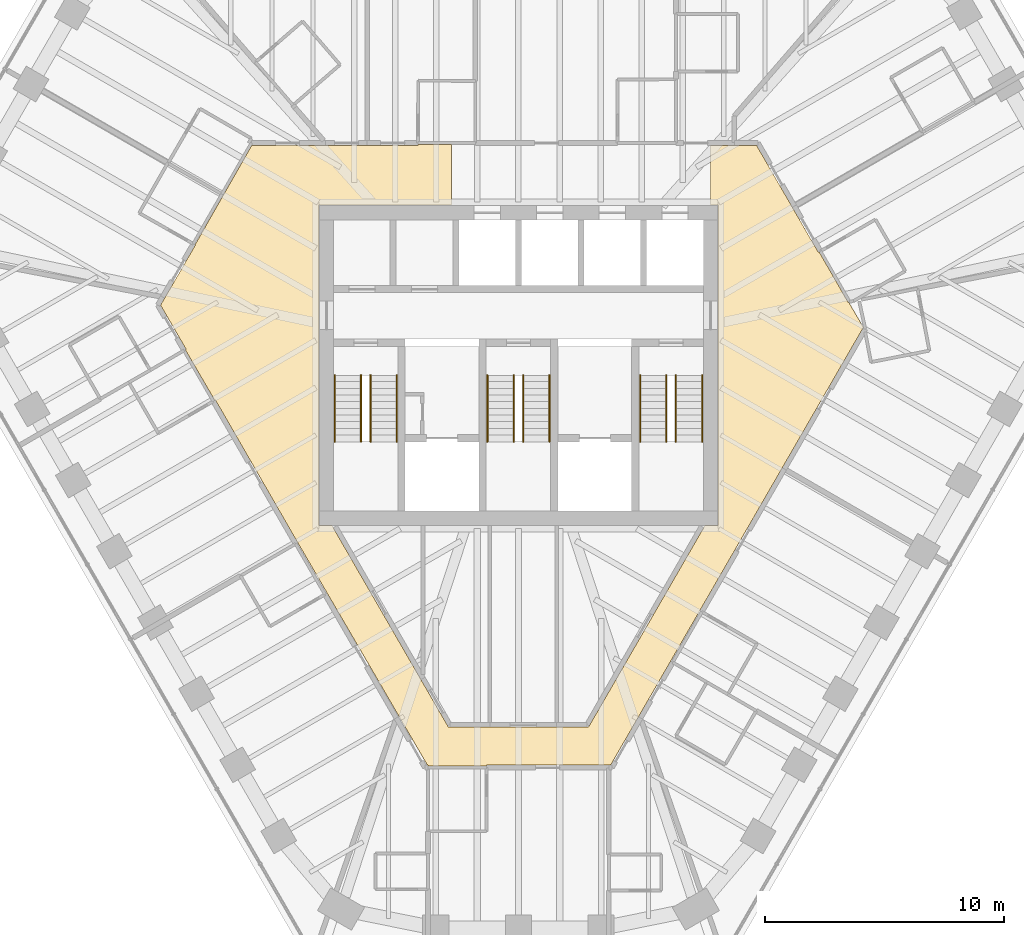
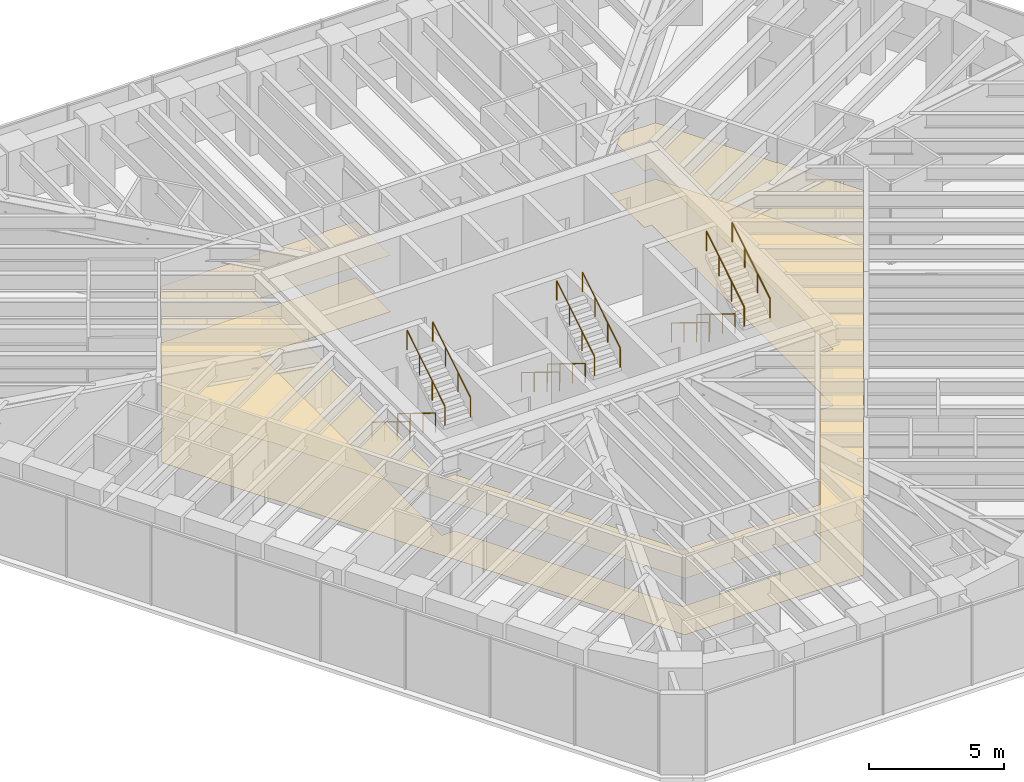
# One storey, part 14 of 14: 12 railings, 2 coverings.
"""IFC4 building model written with IfcOpenShell, lengths in metres."""

import ifcopenshell
import ifcopenshell.guid

model = None  # the IFC model being written
_history = None  # IfcOwnerHistory: only IFC2X3 demands one
_inside = {}  # id of a spatial element -> (the spatial element, [elements in it])
_under = {}  # id of a project, library or spatial element -> (it, [spatial elements below it])
_declared = {}  # id of a project -> (the project, [libraries it declares])
_typed = {}  # id of a type object -> (the type object, [elements of that type])
_made_of = {}  # id of a material, layer set ... -> (it, [elements and type objects made of it])


def new_model(schema):
    """Start an empty IFC model of exactly this schema.

    Asked for "IFC4X3", IfcOpenShell would pick the latest addendum, in which some entities
    have other attributes; the version numbers below select the first issue.
    IFC2X3 requires an IfcOwnerHistory on every rooted entity: one is made here for all.
    """
    global model, _history
    if schema == "IFC4X3":
        model = ifcopenshell.file(schema_version=(4, 3, 0, 0))
    else:
        model = ifcopenshell.file(schema=schema)
    _inside.clear()
    _under.clear()
    _declared.clear()
    _typed.clear()
    _made_of.clear()
    _history = None
    if model.schema == "IFC2X3":
        org = make("IfcOrganization", Name="unknown")
        user = make(
            "IfcPersonAndOrganization",
            ThePerson=make("IfcPerson", FamilyName="unknown"),
            TheOrganization=org,
        )
        app = make(
            "IfcApplication",
            ApplicationDeveloper=org,
            Version="unknown",
            ApplicationFullName="unknown",
            ApplicationIdentifier="unknown",
        )
        _history = make(
            "IfcOwnerHistory",
            OwningUser=user,
            OwningApplication=app,
            ChangeAction="ADDED",
            CreationDate=0,
        )
    return model


def make(cls, **values):
    """One entity of the class cls with the attributes given. An attribute that is None is left unset."""
    return model.create_entity(
        cls, **{name: value for name, value in values.items() if value is not None}
    )


def rooted(cls, **values):
    """An entity with a GlobalId (a new one), such as an element, a storey or a relation."""
    return make(cls, GlobalId=ifcopenshell.guid.new(), OwnerHistory=_history, **values)


def si_unit(unit_type, name, prefix=None):
    """IfcSIUnit, for example si_unit("LENGTHUNIT", "METRE", prefix="MILLI")."""
    return make("IfcSIUnit", UnitType=unit_type, Prefix=prefix, Name=name)


def assignment(units):
    """IfcUnitAssignment: the units of a project."""
    return None if units is None else make("IfcUnitAssignment", Units=units)


def point(xyz):
    """IfcCartesianPoint."""
    return None if xyz is None else make("IfcCartesianPoint", Coordinates=xyz)


def direction(xyz):
    """IfcDirection."""
    return None if xyz is None else make("IfcDirection", DirectionRatios=xyz)


def frame(location, z_axis=None, x_axis=None):
    """IfcAxis2Placement3D, a coordinate frame: its origin and axes. An axis left out is left unset."""
    return make(
        "IfcAxis2Placement3D",
        Location=point(location),
        Axis=direction(z_axis),
        RefDirection=direction(x_axis),
    )


def frame_2d(location, x_axis=None):
    """IfcAxis2Placement2D, a coordinate frame in the plane: its origin and x axis."""
    return make(
        "IfcAxis2Placement2D", Location=point(location), RefDirection=direction(x_axis)
    )


def origin():
    """The frame at (0, 0, 0) with its axes left unset."""
    return frame((0.0, 0.0, 0.0))


def origin_2d():
    """The frame at (0, 0) in the plane with its x axis left unset."""
    return frame_2d((0.0, 0.0))


def place(relative_to, where):
    """IfcLocalPlacement: puts the frame where relative to a parent placement (None: the world)."""
    return make(
        "IfcLocalPlacement", PlacementRelTo=relative_to, RelativePlacement=where
    )


def context(
    kind, dimensions, precision=None, world=None, true_north=None, identifier=None
):
    """IfcGeometricRepresentationContext, for example the 3D "Model" context."""
    return make(
        "IfcGeometricRepresentationContext",
        ContextIdentifier=identifier,
        ContextType=kind,
        CoordinateSpaceDimension=dimensions,
        Precision=precision,
        WorldCoordinateSystem=world,
        TrueNorth=true_north,
    )


def subcontext(parent, identifier, kind, view, scale=None):
    """IfcGeometricRepresentationSubContext, for example "Body" below "Model"."""
    return make(
        "IfcGeometricRepresentationSubContext",
        ContextIdentifier=identifier,
        ContextType=kind,
        ParentContext=parent,
        TargetScale=scale,
        TargetView=view,
    )


def project(units=None, contexts=None):
    """IfcProject with its units and contexts."""
    return rooted(
        "IfcProject",
        Name="project",
        RepresentationContexts=contexts,
        UnitsInContext=assignment(units),
    )


def spatial(cls, under=None, at=None, **own):
    """A site, building, storey or space (cls), placed at a placement, below another one or the project."""
    s = rooted(cls, ObjectPlacement=at, **own)
    if under is not None:
        _under.setdefault(under.id(), (under, []))[1].append(s)
    return s


def polyline(points):
    """IfcPolyline through the points."""
    return make("IfcPolyline", Points=[point(p) for p in points])


def profile(cls, at=None, kind="AREA", **sizes):
    """A parametric profile (cls). Its sizes go by their IFC names, for example OverallWidth=200.0."""
    return make(cls, ProfileType=kind, Position=at, **sizes)


def circle(**sizes):
    """IfcCircleProfileDef."""
    return profile("IfcCircleProfileDef", **sizes)


def outline(outer, holes=None, kind="AREA"):
    """IfcArbitraryClosedProfileDef: a profile drawn as a closed curve; with holes, ...WithVoids."""
    if holes is None:
        return make("IfcArbitraryClosedProfileDef", ProfileType=kind, OuterCurve=outer)
    return make(
        "IfcArbitraryProfileDefWithVoids",
        ProfileType=kind,
        OuterCurve=outer,
        InnerCurves=holes,
    )


def extrude(swept, where, along, depth):
    """IfcExtrudedAreaSolid: the profile swept, set in the frame where, extruded along a direction by depth."""
    return make(
        "IfcExtrudedAreaSolid",
        SweptArea=swept,
        Position=where,
        ExtrudedDirection=direction(along),
        Depth=depth,
    )


def shape(context_of_items, identifier, shape_type, items):
    """IfcShapeRepresentation: the items that make up one representation, for example the "Body"."""
    return make(
        "IfcShapeRepresentation",
        ContextOfItems=context_of_items,
        RepresentationIdentifier=identifier,
        RepresentationType=shape_type,
        Items=items,
    )


def material(Name=None, Category=None):
    """IfcMaterial."""
    return make("IfcMaterial", Name=Name, Category=Category)


def layer(
    of_material, thickness, ventilated=None, Name=None, Category=None, Priority=None
):
    """IfcMaterialLayer: one layer of a wall or slab, of a material (None: an air gap)."""
    return make(
        "IfcMaterialLayer",
        Material=of_material,
        LayerThickness=thickness,
        IsVentilated=ventilated,
        Name=Name,
        Category=Category,
        Priority=Priority,
    )


def layer_set(layers, Name=None):
    """IfcMaterialLayerSet."""
    return make("IfcMaterialLayerSet", MaterialLayers=layers, LayerSetName=Name)


def made_of(thing, what):
    """Note that an element or type object is made of a material, layer set ...; save() writes the relation."""
    if what is not None:
        _made_of.setdefault(what.id(), (what, []))[1].append(thing)
    return thing


def type_object(cls, material=None, **own):
    """A type object (cls), such as IfcWallType, which elements share."""
    return made_of(rooted(cls, **own), material)


def element(
    cls,
    number,
    at=None,
    inside=None,
    cuts=None,
    type_object=None,
    material=None,
    context=None,
    identifier="Body",
    shape_type=None,
    held_by="IfcProductDefinitionShape",
    body=None,
    shapes=None,
    **own,
):
    """One element of the class cls, such as IfcWall. Its Tag is "e" and its number.

    at: its placement. inside: the storey or other place that contains it. cuts: it is an
    opening in that element (IfcRelVoidsElement). A single representation is given by context,
    identifier, shape_type and body (its items); several are given by shapes. held_by: the class
    of the entity that holds the representations. save() writes the other relations.
    """
    e = rooted(cls, Tag="e%d" % number, ObjectPlacement=at, **own)
    if body is not None:
        shapes = [shape(context, identifier, shape_type, body)]
    if shapes is not None:
        e.Representation = make(held_by, Representations=shapes)
    if inside is not None:
        _inside.setdefault(inside.id(), (inside, []))[1].append(e)
    if cuts is not None:
        rooted(
            "IfcRelVoidsElement", RelatingBuildingElement=cuts, RelatedOpeningElement=e
        )
    if type_object is not None:
        _typed.setdefault(type_object.id(), (type_object, []))[1].append(e)
    return made_of(e, material)


def aggregate(whole, parts):
    """IfcRelAggregates: a whole, such as a stair, and the parts it consists of."""
    return rooted("IfcRelAggregates", RelatingObject=whole, RelatedObjects=parts)


def save(model, path):
    """Write the relations noted so far, then the file.

    IfcRelAggregates (storeys below a building ...), IfcRelContainedInSpatialStructure (elements
    in a storey), IfcRelDefinesByType, IfcRelAssociatesMaterial and IfcRelDeclares: one each for
    every whole, place, type object, material and project.
    """
    for whole, parts in _under.values():
        aggregate(whole, parts)
    for where, things in _inside.values():
        rooted(
            "IfcRelContainedInSpatialStructure",
            RelatedElements=things,
            RelatingStructure=where,
        )
    for kind, things in _typed.values():
        rooted("IfcRelDefinesByType", RelatedObjects=things, RelatingType=kind)
    for what, things in _made_of.values():
        rooted("IfcRelAssociatesMaterial", RelatedObjects=things, RelatingMaterial=what)
    for by, libraries in _declared.values():
        rooted("IfcRelDeclares", RelatingContext=by, RelatedDefinitions=libraries)
    model.write(path)


model = new_model("IFC4")

# Units and contexts
model_context = context("Model", 3, precision=1e-05, world=origin(), true_north=direction((0.0, 1.0)))
body_context = subcontext(model_context, "Body", "Model", "MODEL_VIEW")
ifc_project = project(units=[si_unit("LENGTHUNIT", "METRE"), si_unit("AREAUNIT", "SQUARE_METRE"), si_unit("VOLUMEUNIT", "CUBIC_METRE"), si_unit("PLANEANGLEUNIT", "RADIAN"), si_unit("MASSUNIT", "GRAM", prefix="KILO")], contexts=[model_context])

# Site, building, storey
site_placement = place(None, origin())
site = spatial("IfcSite", under=ifc_project, at=site_placement, CompositionType="ELEMENT")
building_placement = place(site_placement, origin())
building = spatial("IfcBuilding", under=site, at=building_placement, Name="Sandreach Pilgrim Tower", CompositionType="ELEMENT")
storey_placement = place(building_placement, frame((0.0, 0.0, 268.39990234375)))
storey = spatial("IfcBuildingStorey", under=building, at=storey_placement, Name="L67", CompositionType="ELEMENT", Elevation=268.39990234375)

# Coverings
ifc_material_1 = material(Name="Nylon carpet tile on the slab", Category="textile")
ifc_layer_1 = layer(ifc_material_1, 0.008056640625)
ifc_layer_set_1 = layer_set([ifc_layer_1], Name="Carpet tile")
covering_type_1 = type_object("IfcCoveringType", Name="Carpet tile", PredefinedType="FLOORING", material=ifc_layer_set_1)
covering_1_placement = place(storey_placement, origin())
element("IfcCovering", 1, at=covering_1_placement, inside=storey, type_object=covering_type_1, Name="Floor finish 67C Corridor 67", PredefinedType="FLOORING", context=body_context, shape_type="SweptSolid", body=[
    extrude(outline(polyline([(-15.004150390625, 2.529541015625), (-13.54345703125, 5.0498046875), (-13.559814453125, 5.059326171875), (-11.178466796875, 9.22998046875), (-4.2099609375, 9.22998046875), (-4.2099609375, 9.26318359375), (-2.800048828125, 9.27001953125), (-2.800048828125, 6.719970703125), (-8.3701171875, 6.719970703125), (-8.3701171875, -6.719970703125), (-7.812744140625, -6.719970703125), (-2.937744140625, -15.159912109375), (2.937744140625, -15.159912109375), (7.812744140625, -6.719970703125), (8.3701171875, -6.719970703125), (8.3701171875, 6.719970703125), (8.050048828125, 6.719970703125), (8.050048828125, 9.22998046875), (9.982177734375, 9.22998046875), (12.576171875, 4.741455078125), (12.607666015625, 4.759765625), (13.827880859375, 2.64013671875), (13.846435546875, 2.650634765625), (14.464111328125, 1.5986328125), (3.8623046875, -16.760009765625), (-1.340087890625, -16.760009765625), (-1.340087890625, -16.787109375), (-3.7900390625, -16.800048828125), (-3.7900390625, -16.760009765625), (-3.813232421875, -16.760009765625), (-9.378173828125, -7.213623046875), (-12.703369140625, -1.449951171875), (-12.729248046875, -1.465087890625), (-13.968017578125, 0.66015625), (-13.93359375, 0.68017578125), (-15.004150390625, 2.529541015625)])), origin(), (0.0, 0.0, 1.0), 0.008056640625),
])
ifc_material_2 = material(Name="Gypsum board suspended ceiling on a steel grid", Category="steel")
ifc_layer_2 = layer(ifc_material_2, 0.012939453125)
ifc_layer_set_2 = layer_set([ifc_layer_2], Name="Gypsum board suspended ceiling")
covering_type_2 = type_object("IfcCoveringType", Name="Gypsum board suspended ceiling", PredefinedType="CEILING", material=ifc_layer_set_2)
covering_2_placement = place(storey_placement, frame((0.0, 0.0, 2.550048828125)))
element("IfcCovering", 2, at=covering_2_placement, inside=storey, type_object=covering_type_2, Name="Ceiling 67C Corridor 67", PredefinedType="CEILING", context=body_context, shape_type="SweptSolid", body=[
    extrude(outline(polyline([(-15.004150390625, 2.529541015625), (-13.54345703125, 5.0498046875), (-13.559814453125, 5.059326171875), (-11.178466796875, 9.22998046875), (-4.2099609375, 9.22998046875), (-4.2099609375, 9.26318359375), (-2.800048828125, 9.27001953125), (-2.800048828125, 6.719970703125), (-8.3701171875, 6.719970703125), (-8.3701171875, -6.719970703125), (-7.812744140625, -6.719970703125), (-2.937744140625, -15.159912109375), (2.937744140625, -15.159912109375), (7.812744140625, -6.719970703125), (8.3701171875, -6.719970703125), (8.3701171875, 6.719970703125), (8.050048828125, 6.719970703125), (8.050048828125, 9.22998046875), (9.982177734375, 9.22998046875), (12.576171875, 4.741455078125), (12.607666015625, 4.759765625), (13.827880859375, 2.64013671875), (13.846435546875, 2.650634765625), (14.464111328125, 1.5986328125), (3.8623046875, -16.760009765625), (-1.340087890625, -16.760009765625), (-1.340087890625, -16.787109375), (-3.7900390625, -16.800048828125), (-3.7900390625, -16.760009765625), (-3.813232421875, -16.760009765625), (-9.378173828125, -7.213623046875), (-12.703369140625, -1.449951171875), (-12.729248046875, -1.465087890625), (-13.968017578125, 0.66015625), (-13.93359375, 0.68017578125), (-15.004150390625, 2.529541015625)])), origin(), (0.0, 0.0, 1.0), 0.012939453125),
])

# Railings
ifc_material_3 = material(Name="Stainless steel tube", Category="steel")
railing_type = type_object("IfcRailingType", Name="Stair handrail", PredefinedType="HANDRAIL", material=ifc_material_3)
for number, where, name in (
    (3, (-6.60009765625, -0.39990234375, 0.1728515625), "Handrail ST1 L67 flight 1"),
    (4, (-7.699951171875, -0.39990234375, 0.1728515625), "Handrail ST1 L67 flight 1"),
):
    element("IfcRailing", number, at=place(storey_placement, frame(where)), inside=storey, type_object=railing_type, Name=name, PredefinedType="HANDRAIL", context=body_context, shape_type="SweptSolid", body=[
        extrude(circle(Radius=0.02392578125, at=origin_2d()), frame((0.0, 0.0, 0.8759765625), z_axis=(0.0, -0.851089632645, 0.525020415988), x_axis=(1.0, 0.0, 0.0)), (0.0, 0.0, 1.0), 3.2900390625),
        extrude(circle(Radius=0.02099609375, at=origin_2d()), origin(), (0.0, 0.0, 1.0), 0.851806640625),
        extrude(circle(Radius=0.02099609375, at=origin_2d()), frame((0.0, -0.933349609375, 0.57568359375)), (0.0, 0.0, 1.0), 0.851806640625),
        extrude(circle(Radius=0.02099609375, at=origin_2d()), frame((0.0, -1.86669921875, 1.151611328125)), (0.0, 0.0, 1.0), 0.851806640625),
        extrude(circle(Radius=0.02099609375, at=origin_2d()), frame((0.0, -2.800048828125, 1.727294921875)), (0.0, 0.0, 1.0), 0.851806640625),
    ])
for number, where, name in (
    (5, (-6.199951171875, -3.199951171875, 2.07275390625), "Handrail ST1 L67 flight 2"),
    (6, (-5.10009765625, -3.199951171875, 2.07275390625), "Handrail ST1 L67 flight 2"),
):
    element("IfcRailing", number, at=place(storey_placement, frame(where)), inside=storey, type_object=railing_type, Name=name, PredefinedType="HANDRAIL", context=body_context, shape_type="SweptSolid", body=[
        extrude(circle(Radius=0.02392578125, at=origin_2d()), frame((0.0, 0.0, 0.8759765625), z_axis=(0.0, 0.851089632645, 0.525020415988), x_axis=(-1.0, 0.0, 0.0)), (0.0, 0.0, 1.0), 3.2900390625),
        extrude(circle(Radius=0.02099609375, at=origin_2d()), origin(), (0.0, 0.0, 1.0), 0.851806640625),
        extrude(circle(Radius=0.02099609375, at=origin_2d()), frame((0.0, 0.933349609375, 0.57568359375)), (0.0, 0.0, 1.0), 0.851806640625),
        extrude(circle(Radius=0.02099609375, at=origin_2d()), frame((0.0, 1.86669921875, 1.151611328125)), (0.0, 0.0, 1.0), 0.851806640625),
        extrude(circle(Radius=0.02099609375, at=origin_2d()), frame((0.0, 2.800048828125, 1.727294921875)), (0.0, 0.0, 1.0), 0.851806640625),
    ])
for number, where, name in (
    (7, (-0.199951171875, -0.39990234375, 0.1728515625), "Handrail ST3 L67 flight 1"),
    (8, (-1.300048828125, -0.39990234375, 0.1728515625), "Handrail ST3 L67 flight 1"),
):
    element("IfcRailing", number, at=place(storey_placement, frame(where)), inside=storey, type_object=railing_type, Name=name, PredefinedType="HANDRAIL", context=body_context, shape_type="SweptSolid", body=[
        extrude(circle(Radius=0.02392578125, at=origin_2d()), frame((0.0, 0.0, 0.8759765625), z_axis=(0.0, -0.851089632645, 0.525020415988), x_axis=(1.0, 0.0, 0.0)), (0.0, 0.0, 1.0), 3.2900390625),
        extrude(circle(Radius=0.02099609375, at=origin_2d()), origin(), (0.0, 0.0, 1.0), 0.851806640625),
        extrude(circle(Radius=0.02099609375, at=origin_2d()), frame((0.0, -0.933349609375, 0.57568359375)), (0.0, 0.0, 1.0), 0.851806640625),
        extrude(circle(Radius=0.02099609375, at=origin_2d()), frame((0.0, -1.86669921875, 1.151611328125)), (0.0, 0.0, 1.0), 0.851806640625),
        extrude(circle(Radius=0.02099609375, at=origin_2d()), frame((0.0, -2.800048828125, 1.727294921875)), (0.0, 0.0, 1.0), 0.851806640625),
    ])
for number, where, name in (
    (9, (0.199951171875, -3.199951171875, 2.07275390625), "Handrail ST3 L67 flight 2"),
    (10, (1.300048828125, -3.199951171875, 2.07275390625), "Handrail ST3 L67 flight 2"),
):
    element("IfcRailing", number, at=place(storey_placement, frame(where)), inside=storey, type_object=railing_type, Name=name, PredefinedType="HANDRAIL", context=body_context, shape_type="SweptSolid", body=[
        extrude(circle(Radius=0.02392578125, at=origin_2d()), frame((0.0, 0.0, 0.8759765625), z_axis=(0.0, 0.851089632645, 0.525020415988), x_axis=(-1.0, 0.0, 0.0)), (0.0, 0.0, 1.0), 3.2900390625),
        extrude(circle(Radius=0.02099609375, at=origin_2d()), origin(), (0.0, 0.0, 1.0), 0.851806640625),
        extrude(circle(Radius=0.02099609375, at=origin_2d()), frame((0.0, 0.933349609375, 0.57568359375)), (0.0, 0.0, 1.0), 0.851806640625),
        extrude(circle(Radius=0.02099609375, at=origin_2d()), frame((0.0, 1.86669921875, 1.151611328125)), (0.0, 0.0, 1.0), 0.851806640625),
        extrude(circle(Radius=0.02099609375, at=origin_2d()), frame((0.0, 2.800048828125, 1.727294921875)), (0.0, 0.0, 1.0), 0.851806640625),
    ])
for number, where, name in (
    (11, (6.199951171875, -0.39990234375, 0.1728515625), "Handrail ST2 L67 flight 1"),
    (12, (5.10009765625, -0.39990234375, 0.1728515625), "Handrail ST2 L67 flight 1"),
):
    element("IfcRailing", number, at=place(storey_placement, frame(where)), inside=storey, type_object=railing_type, Name=name, PredefinedType="HANDRAIL", context=body_context, shape_type="SweptSolid", body=[
        extrude(circle(Radius=0.02392578125, at=origin_2d()), frame((0.0, 0.0, 0.8759765625), z_axis=(0.0, -0.851089632645, 0.525020415988), x_axis=(1.0, 0.0, 0.0)), (0.0, 0.0, 1.0), 3.2900390625),
        extrude(circle(Radius=0.02099609375, at=origin_2d()), origin(), (0.0, 0.0, 1.0), 0.851806640625),
        extrude(circle(Radius=0.02099609375, at=origin_2d()), frame((0.0, -0.933349609375, 0.57568359375)), (0.0, 0.0, 1.0), 0.851806640625),
        extrude(circle(Radius=0.02099609375, at=origin_2d()), frame((0.0, -1.86669921875, 1.151611328125)), (0.0, 0.0, 1.0), 0.851806640625),
        extrude(circle(Radius=0.02099609375, at=origin_2d()), frame((0.0, -2.800048828125, 1.727294921875)), (0.0, 0.0, 1.0), 0.851806640625),
    ])
for number, where, name in (
    (13, (6.60009765625, -3.199951171875, 2.07275390625), "Handrail ST2 L67 flight 2"),
    (14, (7.699951171875, -3.199951171875, 2.07275390625), "Handrail ST2 L67 flight 2"),
):
    element("IfcRailing", number, at=place(storey_placement, frame(where)), inside=storey, type_object=railing_type, Name=name, PredefinedType="HANDRAIL", context=body_context, shape_type="SweptSolid", body=[
        extrude(circle(Radius=0.02392578125, at=origin_2d()), frame((0.0, 0.0, 0.8759765625), z_axis=(0.0, 0.851089632645, 0.525020415988), x_axis=(-1.0, 0.0, 0.0)), (0.0, 0.0, 1.0), 3.2900390625),
        extrude(circle(Radius=0.02099609375, at=origin_2d()), origin(), (0.0, 0.0, 1.0), 0.851806640625),
        extrude(circle(Radius=0.02099609375, at=origin_2d()), frame((0.0, 0.933349609375, 0.57568359375)), (0.0, 0.0, 1.0), 0.851806640625),
        extrude(circle(Radius=0.02099609375, at=origin_2d()), frame((0.0, 1.86669921875, 1.151611328125)), (0.0, 0.0, 1.0), 0.851806640625),
        extrude(circle(Radius=0.02099609375, at=origin_2d()), frame((0.0, 2.800048828125, 1.727294921875)), (0.0, 0.0, 1.0), 0.851806640625),
    ])

save(model, "model.ifc")
